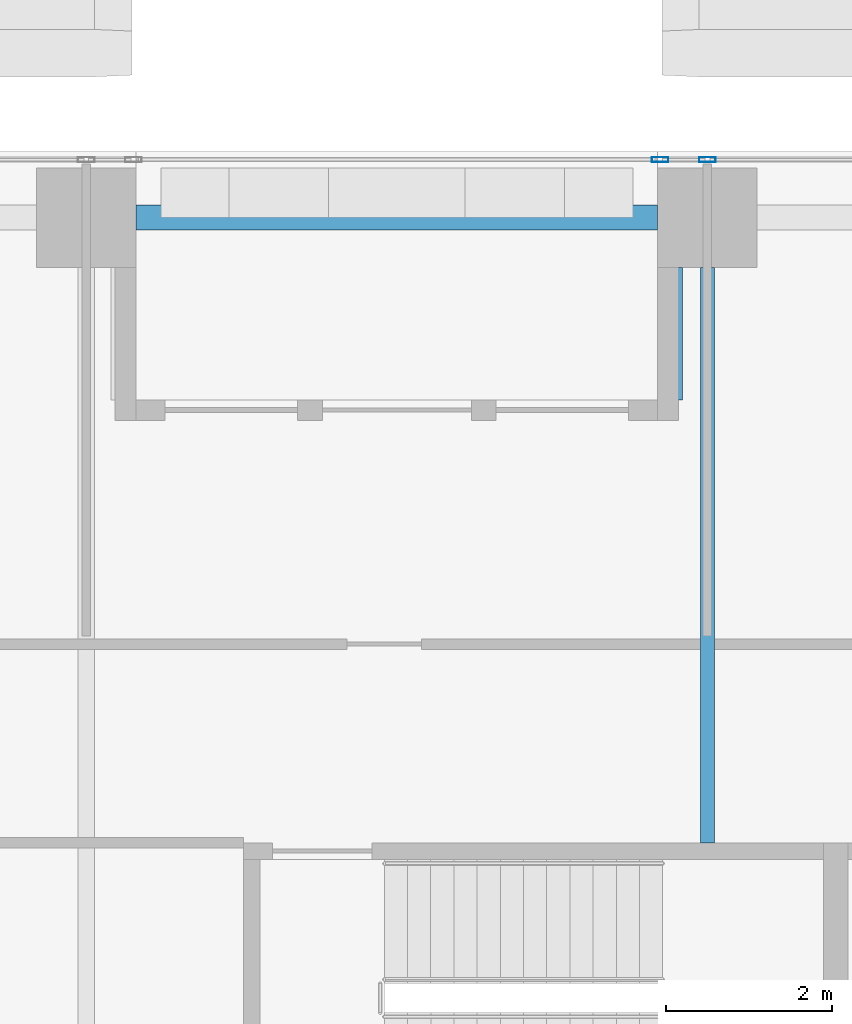
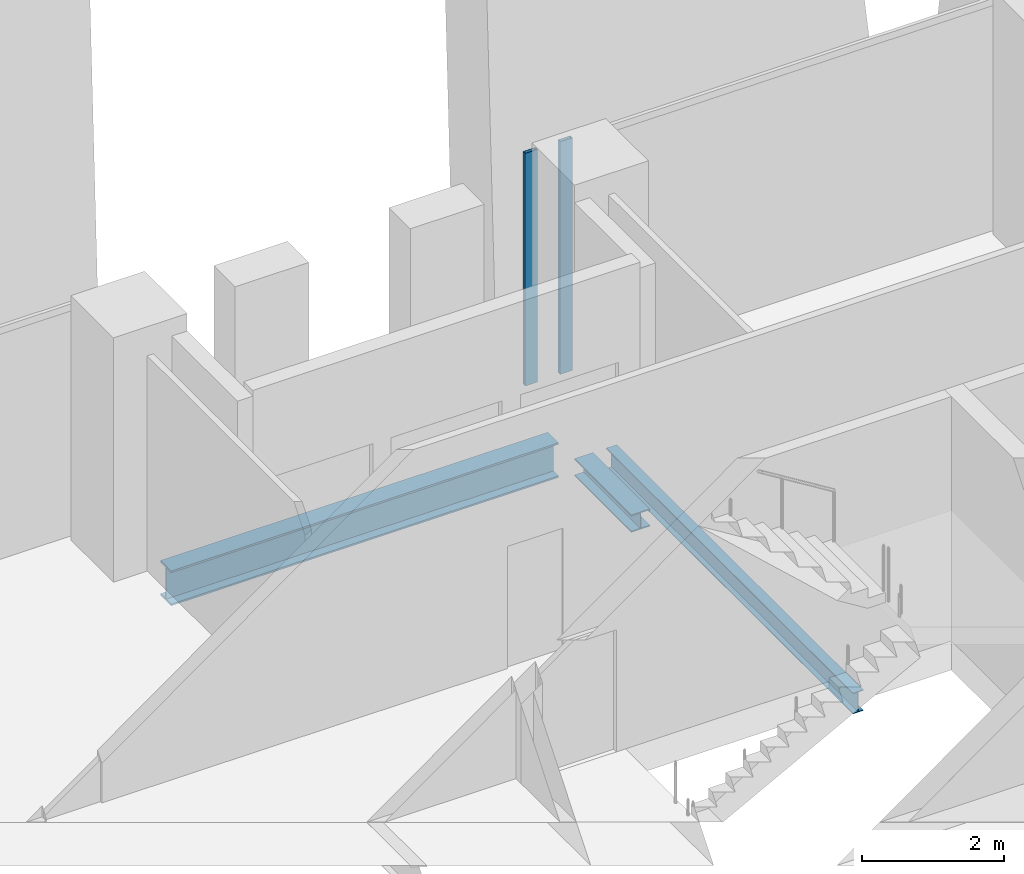
# One storey, part 16 of 46: 3 beams, 2 members, 1 element without a shape of its own.
"""IFC4 building model written with IfcOpenShell, lengths in metres."""

import ifcopenshell
import ifcopenshell.guid

model = None  # the IFC model being written
_history = None  # IfcOwnerHistory: only IFC2X3 demands one
_inside = {}  # id of a spatial element -> (the spatial element, [elements in it])
_under = {}  # id of a project, library or spatial element -> (it, [spatial elements below it])
_declared = {}  # id of a project -> (the project, [libraries it declares])
_typed = {}  # id of a type object -> (the type object, [elements of that type])
_made_of = {}  # id of a material, layer set ... -> (it, [elements and type objects made of it])


def new_model(schema):
    """Start an empty IFC model of exactly this schema.

    Asked for "IFC4X3", IfcOpenShell would pick the latest addendum, in which some entities
    have other attributes; the version numbers below select the first issue.
    IFC2X3 requires an IfcOwnerHistory on every rooted entity: one is made here for all.
    """
    global model, _history
    if schema == "IFC4X3":
        model = ifcopenshell.file(schema_version=(4, 3, 0, 0))
    else:
        model = ifcopenshell.file(schema=schema)
    _inside.clear()
    _under.clear()
    _declared.clear()
    _typed.clear()
    _made_of.clear()
    _history = None
    if model.schema == "IFC2X3":
        org = make("IfcOrganization", Name="unknown")
        user = make(
            "IfcPersonAndOrganization",
            ThePerson=make("IfcPerson", FamilyName="unknown"),
            TheOrganization=org,
        )
        app = make(
            "IfcApplication",
            ApplicationDeveloper=org,
            Version="unknown",
            ApplicationFullName="unknown",
            ApplicationIdentifier="unknown",
        )
        _history = make(
            "IfcOwnerHistory",
            OwningUser=user,
            OwningApplication=app,
            ChangeAction="ADDED",
            CreationDate=0,
        )
    return model


def make(cls, **values):
    """One entity of the class cls with the attributes given. An attribute that is None is left unset."""
    return model.create_entity(
        cls, **{name: value for name, value in values.items() if value is not None}
    )


def rooted(cls, **values):
    """An entity with a GlobalId (a new one), such as an element, a storey or a relation."""
    return make(cls, GlobalId=ifcopenshell.guid.new(), OwnerHistory=_history, **values)


def si_unit(unit_type, name, prefix=None):
    """IfcSIUnit, for example si_unit("LENGTHUNIT", "METRE", prefix="MILLI")."""
    return make("IfcSIUnit", UnitType=unit_type, Prefix=prefix, Name=name)


def assignment(units):
    """IfcUnitAssignment: the units of a project."""
    return None if units is None else make("IfcUnitAssignment", Units=units)


def point(xyz):
    """IfcCartesianPoint."""
    return None if xyz is None else make("IfcCartesianPoint", Coordinates=xyz)


def direction(xyz):
    """IfcDirection."""
    return None if xyz is None else make("IfcDirection", DirectionRatios=xyz)


def frame(location, z_axis=None, x_axis=None):
    """IfcAxis2Placement3D, a coordinate frame: its origin and axes. An axis left out is left unset."""
    return make(
        "IfcAxis2Placement3D",
        Location=point(location),
        Axis=direction(z_axis),
        RefDirection=direction(x_axis),
    )


def frame_2d(location, x_axis=None):
    """IfcAxis2Placement2D, a coordinate frame in the plane: its origin and x axis."""
    return make(
        "IfcAxis2Placement2D", Location=point(location), RefDirection=direction(x_axis)
    )


def origin():
    """The frame at (0, 0, 0) with its axes left unset."""
    return frame((0.0, 0.0, 0.0))


def origin_2d():
    """The frame at (0, 0) in the plane with its x axis left unset."""
    return frame_2d((0.0, 0.0))


def place(relative_to, where):
    """IfcLocalPlacement: puts the frame where relative to a parent placement (None: the world)."""
    return make(
        "IfcLocalPlacement", PlacementRelTo=relative_to, RelativePlacement=where
    )


def context(
    kind, dimensions, precision=None, world=None, true_north=None, identifier=None
):
    """IfcGeometricRepresentationContext, for example the 3D "Model" context."""
    return make(
        "IfcGeometricRepresentationContext",
        ContextIdentifier=identifier,
        ContextType=kind,
        CoordinateSpaceDimension=dimensions,
        Precision=precision,
        WorldCoordinateSystem=world,
        TrueNorth=true_north,
    )


def subcontext(parent, identifier, kind, view, scale=None):
    """IfcGeometricRepresentationSubContext, for example "Body" below "Model"."""
    return make(
        "IfcGeometricRepresentationSubContext",
        ContextIdentifier=identifier,
        ContextType=kind,
        ParentContext=parent,
        TargetScale=scale,
        TargetView=view,
    )


def project(units=None, contexts=None):
    """IfcProject with its units and contexts."""
    return rooted(
        "IfcProject",
        Name="project",
        RepresentationContexts=contexts,
        UnitsInContext=assignment(units),
    )


def spatial(cls, under=None, at=None, **own):
    """A site, building, storey or space (cls), placed at a placement, below another one or the project."""
    s = rooted(cls, ObjectPlacement=at, **own)
    if under is not None:
        _under.setdefault(under.id(), (under, []))[1].append(s)
    return s


def profile(cls, at=None, kind="AREA", **sizes):
    """A parametric profile (cls). Its sizes go by their IFC names, for example OverallWidth=200.0."""
    return make(cls, ProfileType=kind, Position=at, **sizes)


def hollow_rectangle(**sizes):
    """IfcRectangleHollowProfileDef."""
    return profile("IfcRectangleHollowProfileDef", **sizes)


def i_section(**sizes):
    """IfcIShapeProfileDef."""
    return profile("IfcIShapeProfileDef", **sizes)


def extrude(swept, where, along, depth):
    """IfcExtrudedAreaSolid: the profile swept, set in the frame where, extruded along a direction by depth."""
    return make(
        "IfcExtrudedAreaSolid",
        SweptArea=swept,
        Position=where,
        ExtrudedDirection=direction(along),
        Depth=depth,
    )


def shape(context_of_items, identifier, shape_type, items):
    """IfcShapeRepresentation: the items that make up one representation, for example the "Body"."""
    return make(
        "IfcShapeRepresentation",
        ContextOfItems=context_of_items,
        RepresentationIdentifier=identifier,
        RepresentationType=shape_type,
        Items=items,
    )


def source(mapping_origin, context_of_items, identifier, shape_type, items):
    """IfcRepresentationMap: a shape defined once, which mapped items show again and again."""
    return make(
        "IfcRepresentationMap",
        MappingOrigin=mapping_origin,
        MappedRepresentation=shape(context_of_items, identifier, shape_type, items),
    )


def transform(
    local_origin,
    x_axis=None,
    y_axis=None,
    z_axis=None,
    scale=None,
    scale2=None,
    scale3=None,
    uniform=True,
):
    """IfcCartesianTransformationOperator3D, or its non-uniform kind. x_axis, y_axis, z_axis: its Axis1, 2, 3."""
    if uniform:
        return make(
            "IfcCartesianTransformationOperator3D",
            Axis1=direction(x_axis),
            Axis2=direction(y_axis),
            LocalOrigin=point(local_origin),
            Scale=scale,
            Axis3=direction(z_axis),
        )
    return make(
        "IfcCartesianTransformationOperator3DnonUniform",
        Axis1=direction(x_axis),
        Axis2=direction(y_axis),
        LocalOrigin=point(local_origin),
        Scale=scale,
        Axis3=direction(z_axis),
        Scale2=scale2,
        Scale3=scale3,
    )


def mapped(mapping_source, mapping_target):
    """IfcMappedItem: shows the shape of a source again, moved by a transform."""
    return make(
        "IfcMappedItem", MappingSource=mapping_source, MappingTarget=mapping_target
    )


def material(Name=None, Category=None):
    """IfcMaterial."""
    return make("IfcMaterial", Name=Name, Category=Category)


def material_profile(
    of_material, cross_section, Name=None, Category=None, Priority=None
):
    """IfcMaterialProfile: a cross section and its material."""
    return make(
        "IfcMaterialProfile",
        Name=Name,
        Material=of_material,
        Profile=cross_section,
        Priority=Priority,
        Category=Category,
    )


def profile_set(profiles, Name=None, composite=None):
    """IfcMaterialProfileSet."""
    return make(
        "IfcMaterialProfileSet",
        Name=Name,
        MaterialProfiles=profiles,
        CompositeProfile=composite,
    )


def made_of(thing, what):
    """Note that an element or type object is made of a material, layer set ...; save() writes the relation."""
    if what is not None:
        _made_of.setdefault(what.id(), (what, []))[1].append(thing)
    return thing


def type_object(cls, material=None, **own):
    """A type object (cls), such as IfcWallType, which elements share."""
    return made_of(rooted(cls, **own), material)


def element(
    cls,
    number,
    at=None,
    inside=None,
    cuts=None,
    type_object=None,
    material=None,
    context=None,
    identifier="Body",
    shape_type=None,
    held_by="IfcProductDefinitionShape",
    body=None,
    shapes=None,
    **own,
):
    """One element of the class cls, such as IfcWall. Its Tag is "e" and its number.

    at: its placement. inside: the storey or other place that contains it. cuts: it is an
    opening in that element (IfcRelVoidsElement). A single representation is given by context,
    identifier, shape_type and body (its items); several are given by shapes. held_by: the class
    of the entity that holds the representations. save() writes the other relations.
    """
    e = rooted(cls, Tag="e%d" % number, ObjectPlacement=at, **own)
    if body is not None:
        shapes = [shape(context, identifier, shape_type, body)]
    if shapes is not None:
        e.Representation = make(held_by, Representations=shapes)
    if inside is not None:
        _inside.setdefault(inside.id(), (inside, []))[1].append(e)
    if cuts is not None:
        rooted(
            "IfcRelVoidsElement", RelatingBuildingElement=cuts, RelatedOpeningElement=e
        )
    if type_object is not None:
        _typed.setdefault(type_object.id(), (type_object, []))[1].append(e)
    return made_of(e, material)


def aggregate(whole, parts):
    """IfcRelAggregates: a whole, such as a stair, and the parts it consists of."""
    return rooted("IfcRelAggregates", RelatingObject=whole, RelatedObjects=parts)


def save(model, path):
    """Write the relations noted so far, then the file.

    IfcRelAggregates (storeys below a building ...), IfcRelContainedInSpatialStructure (elements
    in a storey), IfcRelDefinesByType, IfcRelAssociatesMaterial and IfcRelDeclares: one each for
    every whole, place, type object, material and project.
    """
    for whole, parts in _under.values():
        aggregate(whole, parts)
    for where, things in _inside.values():
        rooted(
            "IfcRelContainedInSpatialStructure",
            RelatedElements=things,
            RelatingStructure=where,
        )
    for kind, things in _typed.values():
        rooted("IfcRelDefinesByType", RelatedObjects=things, RelatingType=kind)
    for what, things in _made_of.values():
        rooted("IfcRelAssociatesMaterial", RelatedObjects=things, RelatingMaterial=what)
    for by, libraries in _declared.values():
        rooted("IfcRelDeclares", RelatingContext=by, RelatedDefinitions=libraries)
    model.write(path)


model = new_model("IFC4")

# Units and contexts
model_context = context("Model", 3, precision=1e-05, world=origin(), true_north=direction((0.0, 1.0)))
body_context = subcontext(model_context, "Body", "Model", "MODEL_VIEW")
ifc_project = project(units=[si_unit("LENGTHUNIT", "METRE"), si_unit("AREAUNIT", "SQUARE_METRE"), si_unit("VOLUMEUNIT", "CUBIC_METRE"), si_unit("PLANEANGLEUNIT", "RADIAN"), si_unit("MASSUNIT", "GRAM", prefix="KILO")], contexts=[model_context])

# Site, building, storey
site_placement = place(None, origin())
site = spatial("IfcSite", under=ifc_project, at=site_placement, CompositionType="ELEMENT")
building_placement = place(site_placement, origin())
building = spatial("IfcBuilding", under=site, at=building_placement, Name="Khomas Fold Tower", CompositionType="ELEMENT")
storey_placement = place(building_placement, frame((0.0, 0.0, 33.0)))
storey = spatial("IfcBuildingStorey", under=building, at=storey_placement, Name="L06", CompositionType="ELEMENT", Elevation=33.0)

# Beams
ifc_material_1 = material(Name="Steel S355", Category="steel")
ifc_material_profile_1 = material_profile(ifc_material_1, i_section(OverallWidth=0.169921875, OverallDepth=0.360107421875, WebThickness=0.008056640625, FlangeThickness=0.0126953125, at=origin_2d()), Name="IPE 360")
ifc_profile_set_1 = profile_set([ifc_material_profile_1], Name="Steel S355")
beam_type_1 = type_object("IfcBeamType", Name="IPE 360 beam JB2", PredefinedType="BEAM", material=ifc_profile_set_1)
shared_shape_1 = source(origin(), body_context, "Body", "SweptSolid", [
    extrude(i_section(OverallWidth=0.169921875, OverallDepth=0.360107421875, WebThickness=0.008056640625, FlangeThickness=0.0126953125, at=origin_2d()), origin(), (0.0, 0.0, 1.0), 6.9501953125),
])
beam_1_placement = place(storey_placement, frame((19.5, 45.64990234375, -0.679931640625), z_axis=(0.0, 1.0, 0.0), x_axis=(-1.0, 0.0, 0.0)))
element("IfcBeam", 1, at=beam_1_placement, inside=storey, type_object=beam_type_1, Name="JB2", PredefinedType="BEAM", context=body_context, shape_type="MappedRepresentation", body=[
    mapped(shared_shape_1, transform((0.0, 0.0, 0.0))),
])
ifc_material_2 = material(Name="Steel S355", Category="steel")
ifc_material_profile_2 = material_profile(ifc_material_2, i_section(OverallWidth=0.300048828125, OverallDepth=0.60009765625, WebThickness=0.015380859375, FlangeThickness=0.030029296875, at=origin_2d()), Name="HE 600 B")
ifc_profile_set_2 = profile_set([ifc_material_profile_2], Name="Steel S355")
beam_type_2 = type_object("IfcBeamType", Name="HE 600 B spandrel SB1", PredefinedType="SPANDREL", material=ifc_profile_set_2)
shared_shape_2 = source(origin(), body_context, "Body", "SweptSolid", [
    extrude(i_section(OverallWidth=0.300048828125, OverallDepth=0.60009765625, WebThickness=0.015380859375, FlangeThickness=0.030029296875, at=origin_2d()), origin(), (0.0, 0.0, 1.0), 6.2998046875),
])
beam_2_placement = place(storey_placement, frame((12.60009765625, 53.199951171875, -0.800048828125), z_axis=(1.0, 0.0, 0.0), x_axis=(0.0, 1.0, 0.0)))
element("IfcBeam", 2, at=beam_2_placement, inside=storey, type_object=beam_type_2, Name="SB1", PredefinedType="SPANDREL", context=body_context, shape_type="MappedRepresentation", body=[
    mapped(shared_shape_2, transform((0.0, 0.0, 0.0))),
])
ifc_material_3 = material(Name="Steel S355", Category="steel")
ifc_material_profile_3 = material_profile(ifc_material_3, i_section(OverallWidth=0.300048828125, OverallDepth=0.300048828125, WebThickness=0.010986328125, FlangeThickness=0.01904296875, at=origin_2d()), Name="HE 300 B")
ifc_profile_set_3 = profile_set([ifc_material_profile_3], Name="Steel S355")
beam_type_3 = type_object("IfcBeamType", Name="HE 300 B beam BB1", PredefinedType="BEAM", material=ifc_profile_set_3)
shared_shape_3 = source(origin(), body_context, "Body", "SweptSolid", [
    extrude(i_section(OverallWidth=0.300048828125, OverallDepth=0.300048828125, WebThickness=0.010986328125, FlangeThickness=0.01904296875, at=origin_2d()), origin(), (0.0, 0.0, 1.0), 1.60009765625),
])
beam_3_placement = place(storey_placement, frame((19.050048828125, 51.0, -0.64990234375), z_axis=(0.0, 1.0, 0.0), x_axis=(-1.0, 0.0, 0.0)))
element("IfcBeam", 3, at=beam_3_placement, inside=storey, type_object=beam_type_3, Name="BB1", PredefinedType="BEAM", context=body_context, shape_type="MappedRepresentation", body=[
    mapped(shared_shape_3, transform((0.0, 0.0, 0.0))),
])

# Curtain wall, members
ifc_material_4 = material(Name="Aluminium framed double glazing", Category="aluminium")
curtain_wall_type = type_object("IfcCurtainWallType", Name="SK-Unitised clear-glass wall, growing floors CW1", PredefinedType="NOTDEFINED", material=ifc_material_4)
curtain_wall_placement = place(storey_placement, origin())
curtain_wall = element("IfcCurtainWall", 4, at=curtain_wall_placement, inside=storey, type_object=curtain_wall_type, Name="CW1 run L06 06-0", PredefinedType="NOTDEFINED")
ifc_material_5 = material(Name="Aluminium", Category="aluminium")
ifc_material_profile_4 = material_profile(ifc_material_5, hollow_rectangle(XDim=0.06005859375, YDim=0.199951171875, WallThickness=0.00390625, at=origin_2d()), Name="SK-Unitised clear-glass wall, growing floors mullion CW1-M")
ifc_profile_set_4 = profile_set([ifc_material_profile_4], Name="Aluminium")
member_type = type_object("IfcMemberType", Name="SK-Unitised clear-glass wall, growing floors mullion CW1-M", PredefinedType="MULLION", material=ifc_profile_set_4)
shared_shape_4 = source(origin(), body_context, "Body", "SweptSolid", [
    extrude(hollow_rectangle(XDim=0.06005859375, YDim=0.199951171875, WallThickness=0.00390625, at=origin_2d()), origin(), (0.0, 0.0, 1.0), 4.0),
])
member_1_placement = place(storey_placement, frame((19.5, 53.89990234375, 0.0), z_axis=(0.0, 0.0, 1.0), x_axis=(0.0, -1.0, 0.0)))
member_1 = element("IfcMember", 5, at=member_1_placement, type_object=member_type, Name="CW1 mullion 6", PredefinedType="MULLION", context=body_context, shape_type="MappedRepresentation", body=[
    mapped(shared_shape_4, transform((0.0, 0.0, 0.0))),
])
member_2_placement = place(storey_placement, frame((18.929931640625, 53.89990234375, 0.0), z_axis=(0.0, 0.0, 1.0), x_axis=(0.0, -1.0, 0.0)))
member_2 = element("IfcMember", 6, at=member_2_placement, type_object=member_type, Name="CW1 mullion 7", PredefinedType="MULLION", context=body_context, shape_type="MappedRepresentation", body=[
    mapped(shared_shape_4, transform((0.0, 0.0, 0.0))),
])
aggregate(curtain_wall, [member_1, member_2])

save(model, "model.ifc")
